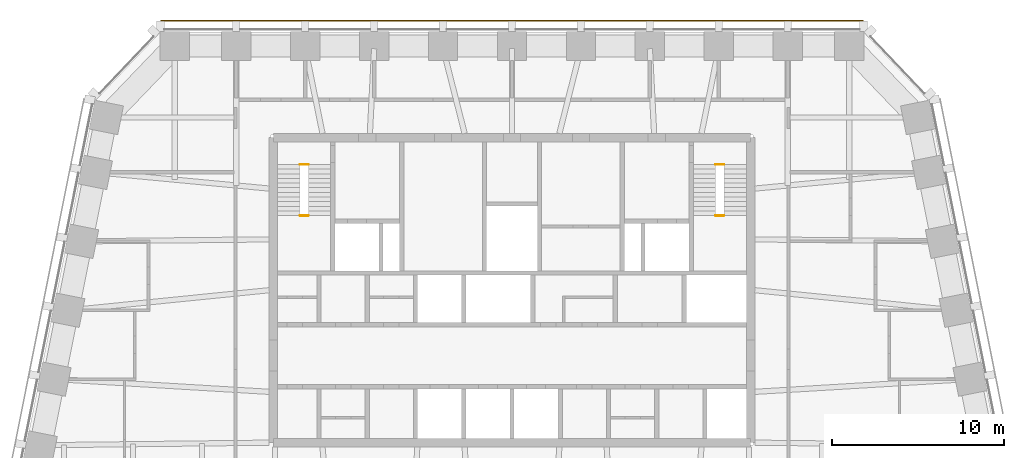
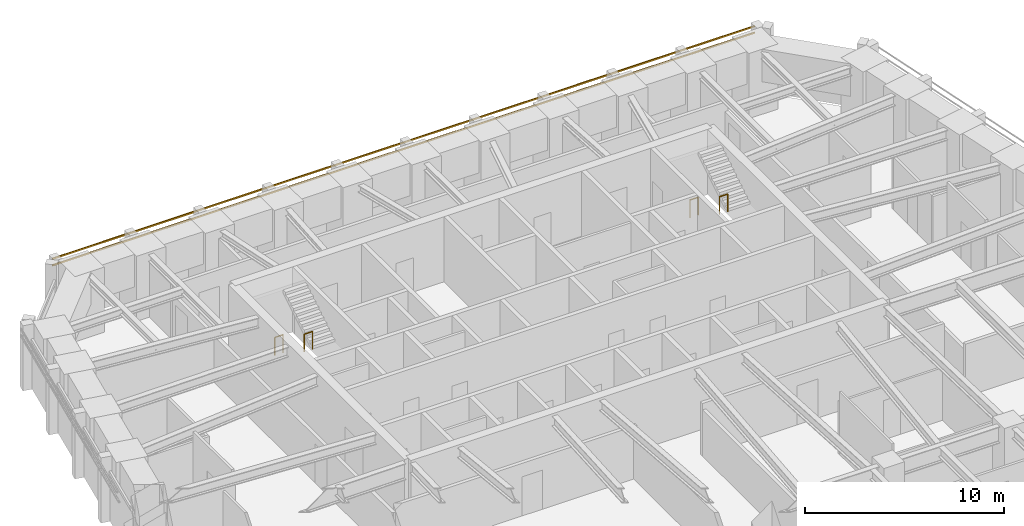
# One storey, part 10 of 10: 4 railings, 2 shading devices.
"""IFC4 building model written with IfcOpenShell, lengths in metres."""

from ifc_helpers import new_model, si_unit, direction, frame, origin, origin_2d, place, context, subcontext, project, spatial, rectangle, circle, extrude, material, material_profile, profile_set, type_object, element, save


model = new_model("IFC4")

# Units and contexts
model_context = context("Model", 3, precision=1e-05, world=origin(), true_north=direction((0.0, 1.0)))
body_context = subcontext(model_context, "Body", "Model", "MODEL_VIEW")
ifc_project = project(units=[si_unit("LENGTHUNIT", "METRE"), si_unit("AREAUNIT", "SQUARE_METRE"), si_unit("VOLUMEUNIT", "CUBIC_METRE"), si_unit("PLANEANGLEUNIT", "RADIAN"), si_unit("MASSUNIT", "GRAM", prefix="KILO")], contexts=[model_context])

# Site, building, storey
site_placement = place(None, origin())
site = spatial("IfcSite", under=ifc_project, at=site_placement, CompositionType="ELEMENT")
building_placement = place(site_placement, origin())
building = spatial("IfcBuilding", under=site, at=building_placement, Name="Isbrekke Arena Tower", CompositionType="ELEMENT")
storey_placement = place(building_placement, frame((0.0, 0.0, 260.0)))
storey = spatial("IfcBuildingStorey", under=building, at=storey_placement, Name="L60", CompositionType="ELEMENT", Elevation=260.0)

# Shading devices
ifc_material_1 = material(Name="Terracotta", Category="masonry")
ifc_material_profile = material_profile(ifc_material_1, rectangle(XDim=0.06005859375, YDim=0.06005859375, at=origin_2d()), Name="BAGUETTE 60X60")
ifc_profile_set = profile_set([ifc_material_profile], Name="Terracotta")
shading_device_type = type_object("IfcShadingDeviceType", Name="BG1 TERRACOTTA BAGUETTE 60 x 60", PredefinedType="USERDEFINED", material=ifc_profile_set)
for number, where, z_axis, x_axis, name in (
    (1, (20.39990234375, 30.655029296875, 3.280029296875), (-1.0, 0.0, 0.0), (0.0, -1.0, 0.0), "BG1 terracotta baguette N1 L60"),
    (2, (20.39990234375, 30.655029296875, 3.679931640625), (-1.0, 0.0, 0.0), (0.0, -1.0, 0.0), "BG1 terracotta baguette N2 L60"),
):
    element("IfcShadingDevice", number, at=place(storey_placement, frame(where, z_axis=z_axis, x_axis=x_axis)), inside=storey, type_object=shading_device_type, Name=name, ObjectType="TERRACOTTA BAGUETTE", PredefinedType="USERDEFINED", context=body_context, shape_type="SweptSolid", body=[
        extrude(rectangle(XDim=0.06005859375, YDim=0.06005859375, at=origin_2d()), origin(), (0.0, 0.0, 1.0), 40.7998046875),
    ])

# Railings
ifc_material_2 = material(Name="Steel stair guard, vertical bars, steel handrail", Category="steel")
railing_type = type_object("IfcRailingType", Name="GR3 STAIR WELL GUARD 1100", PredefinedType="GUARDRAIL", material=ifc_material_2)
for number, where, name in (
    (3, (-12.300048828125, 22.300048828125, 0.0), "GR3 stair well guard ST1 L60"),
    (4, (-12.300048828125, 19.330078125, 2.0), "GR3 stair well guard ST1 L60"),
    (5, (11.824951171875, 22.300048828125, 0.0), "GR3 stair well guard ST2 L60"),
    (6, (11.824951171875, 19.330078125, 2.0), "GR3 stair well guard ST2 L60"),
):
    element("IfcRailing", number, at=place(storey_placement, frame(where)), inside=storey, type_object=railing_type, Name=name, PredefinedType="GUARDRAIL", context=body_context, shape_type="SweptSolid", body=[
        extrude(circle(Radius=0.02392578125, at=origin_2d()), frame((0.0, 0.0, 1.076171875), z_axis=(1.0, 0.0, 0.0), x_axis=(0.0, 1.0, 0.0)), (0.0, 0.0, 1.0), 0.47509765625),
        extrude(circle(Radius=0.02099609375, at=origin_2d()), origin(), (0.0, 0.0, 1.0), 1.052001953125),
        extrude(circle(Radius=0.02099609375, at=origin_2d()), frame((0.47509765625, 0.0, 0.0)), (0.0, 0.0, 1.0), 1.052001953125),
    ])

save(model, "model.ifc")
